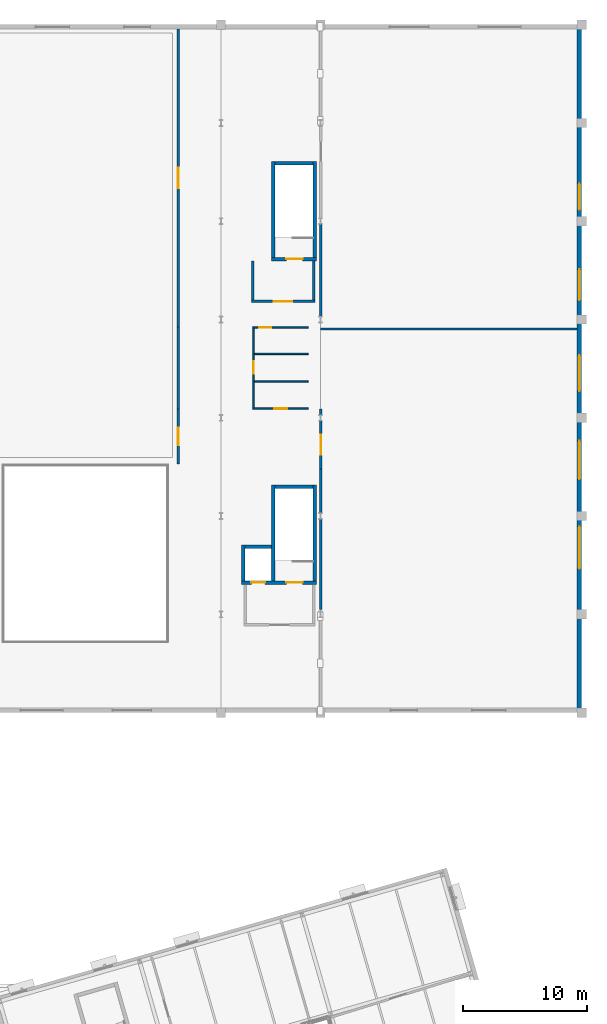
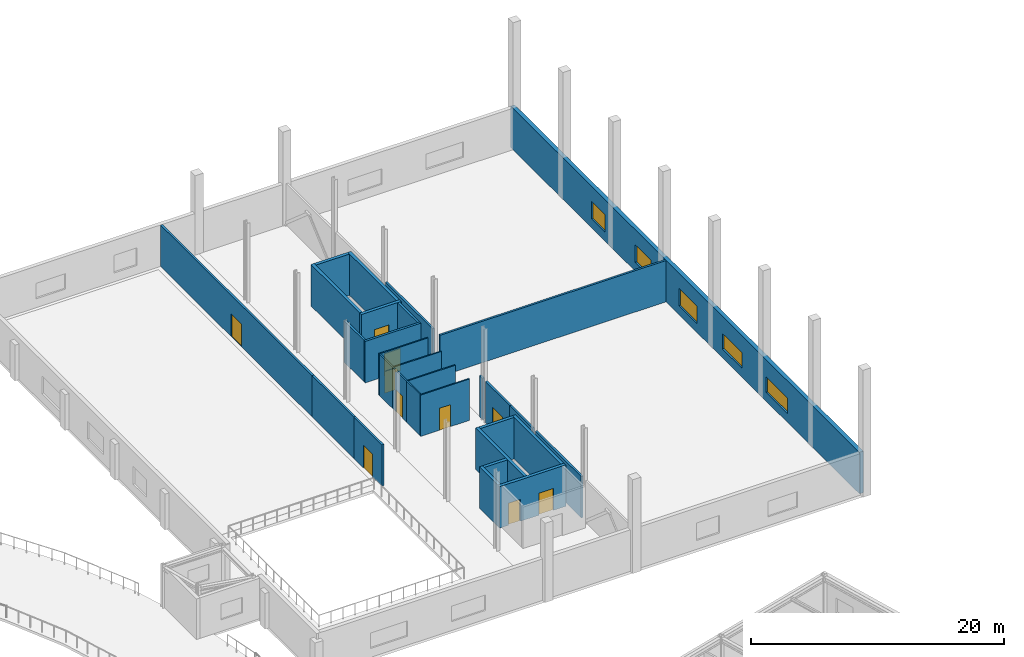
# One storey, part 38 of 59: 30 walls, 10 doors, 5 windows, 15 openings.
"""IFC4 building model written with IfcOpenShell, lengths in metres."""

from ifc_helpers import new_model, si_unit, direction, frame, frame_2d, origin, place, context, subcontext, project, spatial, rectangle, extrude, material, layer, layer_set, type_object, element, fill, save


model = new_model("IFC4")

# Units and contexts
model_context = context("Model", 3, precision=1e-05, world=origin(), true_north=direction((0.0, 1.0)))
body_context = subcontext(model_context, "Body", "Model", "MODEL_VIEW")
ifc_project = project(units=[si_unit("LENGTHUNIT", "METRE"), si_unit("AREAUNIT", "SQUARE_METRE"), si_unit("VOLUMEUNIT", "CUBIC_METRE"), si_unit("PLANEANGLEUNIT", "RADIAN"), si_unit("MASSUNIT", "GRAM", prefix="KILO")], contexts=[model_context])

# Site, building, storey
site_placement = place(None, origin())
site = spatial("IfcSite", under=ifc_project, at=site_placement, CompositionType="ELEMENT")
building_placement = place(site_placement, origin())
building = spatial("IfcBuilding", under=site, at=building_placement, Name="Varnklinge Art Gallery", CompositionType="ELEMENT")
storey_placement = place(building_placement, frame((0.0, 0.0, 9.52001953125)))
storey = spatial("IfcBuildingStorey", under=building, at=storey_placement, Name="L02", CompositionType="ELEMENT", Elevation=9.52001953125)

# Wall, openings, windows
ifc_material_1 = material(Name="Concrete C40/50", Category="concrete")
ifc_layer_1 = layer(ifc_material_1, 0.360107421875)
ifc_layer_set_1 = layer_set([ifc_layer_1], Name="Concrete C40/50")
wall_type_1 = type_object("IfcWallType", Name="EW-36", PredefinedType="SOLIDWALL", material=ifc_layer_set_1)
wall_1_placement = place(storey_placement, frame((164.219970703125, 113.5, 0.0), z_axis=(0.0, 0.0, 1.0), x_axis=(0.0, -1.0, 0.0)))
wall_1 = element("IfcWall", 1, at=wall_1_placement, inside=storey, type_object=wall_type_1, Name="L02 Exterior Wall EW-V1-L02-04", PredefinedType="SOLIDWALL", context=body_context, shape_type="SweptSolid", body=[
    extrude(rectangle(XDim=55.1201171875, YDim=0.360107421875, at=frame_2d((27.56005859375, 0.0))), origin(), (0.0, 0.0, 1.0), 4.0),
])
opening_1_placement = place(wall_1_placement, frame((12.780029296875, 0.0, 0.85009765625)))
opening_1 = element("IfcOpeningElement", 2, at=opening_1_placement, cuts=wall_1, Name="Opening WN-12", PredefinedType="OPENING", context=body_context, shape_type="SweptSolid", body=[
    extrude(rectangle(XDim=2.10009765625, YDim=1.699951171875, at=frame_2d((1.050048828125, 0.85009765625))), frame((0.0, 0.190185546875, 0.0), z_axis=(0.0, -1.0, 0.0), x_axis=(1.0, 0.0, 0.0)), (0.0, 0.0, 1.0), 0.380126953125),
])
opening_2_placement = place(wall_1_placement, frame((19.669921875, 0.0, 0.85009765625)))
opening_2 = element("IfcOpeningElement", 3, at=opening_2_placement, cuts=wall_1, Name="Opening WN-13", PredefinedType="OPENING", context=body_context, shape_type="SweptSolid", body=[
    extrude(rectangle(XDim=2.5, YDim=1.699951171875, at=frame_2d((1.25, 0.85009765625))), frame((0.0, 0.190185546875, 0.0), z_axis=(0.0, -1.0, 0.0), x_axis=(1.0, 0.0, 0.0)), (0.0, 0.0, 1.0), 0.380126953125),
])
opening_3_placement = place(wall_1_placement, frame((26.56005859375, 0.0, 0.85009765625)))
opening_3 = element("IfcOpeningElement", 4, at=opening_3_placement, cuts=wall_1, Name="Opening WN-14", PredefinedType="OPENING", context=body_context, shape_type="SweptSolid", body=[
    extrude(rectangle(XDim=2.89990234375, YDim=1.699951171875, at=frame_2d((1.449951171875, 0.85009765625))), frame((0.0, 0.190185546875, 0.0), z_axis=(0.0, -1.0, 0.0), x_axis=(1.0, 0.0, 0.0)), (0.0, 0.0, 1.0), 0.380126953125),
])
opening_4_placement = place(wall_1_placement, frame((33.449951171875, 0.0, 0.85009765625)))
opening_4 = element("IfcOpeningElement", 5, at=opening_4_placement, cuts=wall_1, Name="Opening WN-19", PredefinedType="OPENING", context=body_context, shape_type="SweptSolid", body=[
    extrude(rectangle(XDim=3.10009765625, YDim=1.5, at=frame_2d((1.550048828125, 0.75))), frame((0.0, 0.190185546875, 0.0), z_axis=(0.0, -1.0, 0.0), x_axis=(1.0, 0.0, 0.0)), (0.0, 0.0, 1.0), 0.380126953125),
])
opening_5_placement = place(wall_1_placement, frame((40.340087890625, 0.0, 0.85009765625)))
opening_5 = element("IfcOpeningElement", 6, at=opening_5_placement, cuts=wall_1, Name="Opening WN-20", PredefinedType="OPENING", context=body_context, shape_type="SweptSolid", body=[
    extrude(rectangle(XDim=3.39990234375, YDim=1.5, at=frame_2d((1.699951171875, 0.75))), frame((0.0, 0.190185546875, 0.0), z_axis=(0.0, -1.0, 0.0), x_axis=(1.0, 0.0, 0.0)), (0.0, 0.0, 1.0), 0.380126953125),
])
ifc_material_2 = material(Name="Insulated Low-E Triple Glazing", Category="glass")
window_type_1 = type_object("IfcWindowType", Name="WN-12", PartitioningType="SINGLE_PANEL", PredefinedType="WINDOW", material=ifc_material_2)
window_1_placement = place(opening_1_placement, origin())
window_1 = element("IfcWindow", 7, at=window_1_placement, inside=storey, type_object=window_type_1, Name="L02 Window WIN-L02-036", OverallHeight=1.699951171875, OverallWidth=2.10009765625, PartitioningType="SINGLE_PANEL", PredefinedType="WINDOW", context=body_context, shape_type="SweptSolid", body=[
    extrude(rectangle(XDim=2.10009765625, YDim=1.699951171875, at=frame_2d((1.050048828125, 0.85009765625))), frame((0.0, 0.030029296875, 0.0), z_axis=(0.0, -1.0, 0.0), x_axis=(1.0, 0.0, 0.0)), (0.0, 0.0, 1.0), 0.06005859375),
])
fill(opening_1, window_1)
ifc_material_3 = material(Name="Insulated Low-E Triple Glazing", Category="glass")
window_type_2 = type_object("IfcWindowType", Name="WN-13", PartitioningType="SINGLE_PANEL", PredefinedType="WINDOW", material=ifc_material_3)
window_2_placement = place(opening_2_placement, origin())
window_2 = element("IfcWindow", 8, at=window_2_placement, inside=storey, type_object=window_type_2, Name="L02 Window WIN-L02-037", OverallHeight=1.699951171875, OverallWidth=2.5, PartitioningType="SINGLE_PANEL", PredefinedType="WINDOW", context=body_context, shape_type="SweptSolid", body=[
    extrude(rectangle(XDim=2.5, YDim=1.699951171875, at=frame_2d((1.25, 0.85009765625))), frame((0.0, 0.030029296875, 0.0), z_axis=(0.0, -1.0, 0.0), x_axis=(1.0, 0.0, 0.0)), (0.0, 0.0, 1.0), 0.06005859375),
])
fill(opening_2, window_2)
ifc_material_4 = material(Name="Insulated Low-E Triple Glazing", Category="glass")
window_type_3 = type_object("IfcWindowType", Name="WN-14", PartitioningType="SINGLE_PANEL", PredefinedType="WINDOW", material=ifc_material_4)
window_3_placement = place(opening_3_placement, origin())
window_3 = element("IfcWindow", 9, at=window_3_placement, inside=storey, type_object=window_type_3, Name="L02 Window WIN-L02-038", OverallHeight=1.699951171875, OverallWidth=2.89990234375, PartitioningType="SINGLE_PANEL", PredefinedType="WINDOW", context=body_context, shape_type="SweptSolid", body=[
    extrude(rectangle(XDim=2.89990234375, YDim=1.699951171875, at=frame_2d((1.449951171875, 0.85009765625))), frame((0.0, 0.030029296875, 0.0), z_axis=(0.0, -1.0, 0.0), x_axis=(1.0, 0.0, 0.0)), (0.0, 0.0, 1.0), 0.06005859375),
])
fill(opening_3, window_3)
ifc_material_5 = material(Name="Insulated Low-E Triple Glazing", Category="glass")
window_type_4 = type_object("IfcWindowType", Name="WN-19", PartitioningType="SINGLE_PANEL", PredefinedType="WINDOW", material=ifc_material_5)
window_4_placement = place(opening_4_placement, origin())
window_4 = element("IfcWindow", 10, at=window_4_placement, inside=storey, type_object=window_type_4, Name="L02 Window WIN-L02-039", OverallHeight=1.5, OverallWidth=3.10009765625, PartitioningType="SINGLE_PANEL", PredefinedType="WINDOW", context=body_context, shape_type="SweptSolid", body=[
    extrude(rectangle(XDim=3.10009765625, YDim=1.5, at=frame_2d((1.550048828125, 0.75))), frame((0.0, 0.030029296875, 0.0), z_axis=(0.0, -1.0, 0.0), x_axis=(1.0, 0.0, 0.0)), (0.0, 0.0, 1.0), 0.06005859375),
])
fill(opening_4, window_4)
ifc_material_6 = material(Name="Insulated Low-E Triple Glazing", Category="glass")
window_type_5 = type_object("IfcWindowType", Name="WN-20", PartitioningType="SINGLE_PANEL", PredefinedType="WINDOW", material=ifc_material_6)
window_5_placement = place(opening_5_placement, origin())
window_5 = element("IfcWindow", 11, at=window_5_placement, inside=storey, type_object=window_type_5, Name="L02 Window WIN-L02-040", OverallHeight=1.5, OverallWidth=3.39990234375, PartitioningType="SINGLE_PANEL", PredefinedType="WINDOW", context=body_context, shape_type="SweptSolid", body=[
    extrude(rectangle(XDim=3.39990234375, YDim=1.5, at=frame_2d((1.699951171875, 0.75))), frame((0.0, 0.030029296875, 0.0), z_axis=(0.0, -1.0, 0.0), x_axis=(1.0, 0.0, 0.0)), (0.0, 0.0, 1.0), 0.06005859375),
])
fill(opening_5, window_5)

# Wall, opening, door
ifc_material_7 = material(Name="Gypsum Board Partition", Category="gypsum")
ifc_layer_2 = layer(ifc_material_7, 0.1201171875)
ifc_layer_set_2 = layer_set([ifc_layer_2], Name="Gypsum Board Partition")
wall_type_2 = type_object("IfcWallType", Name="IW-12", PredefinedType="PARTITIONING", material=ifc_layer_set_2)
wall_2_placement = place(storey_placement, frame((137.969970703125, 82.6298828125, 0.0), z_axis=(0.0, 0.0, 1.0), x_axis=(1.0, 0.0, 0.0)))
wall_2 = element("IfcWall", 12, at=wall_2_placement, inside=storey, type_object=wall_type_2, Name="L02 Partition Wall IW-L02-0266", PredefinedType="PARTITIONING", context=body_context, shape_type="SweptSolid", body=[
    extrude(rectangle(XDim=4.4599609375, YDim=0.1201171875, at=frame_2d((2.22998046875, 0.0))), origin(), (0.0, 0.0, 1.0), 3.989990234375),
])
opening_6_placement = place(wall_2_placement, frame((1.719970703125, 0.0, 0.0)))
opening_6 = element("IfcOpeningElement", 13, at=opening_6_placement, cuts=wall_2, Name="Opening D-L02-220", PredefinedType="OPENING", context=body_context, shape_type="SweptSolid", body=[
    extrude(rectangle(XDim=1.02001953125, YDim=2.1201171875, at=frame_2d((0.510009765625, 1.06005859375))), frame((0.0, 0.070068359375, 0.0), z_axis=(0.0, -1.0, 0.0), x_axis=(1.0, 0.0, 0.0)), (0.0, 0.0, 1.0), 0.14013671875),
])
ifc_material_8 = material(Name="Oak Timber Leaf", Category="wood")
door_type_1 = type_object("IfcDoorType", Name="ID-03", OperationType="SINGLE_SWING_LEFT", PredefinedType="DOOR", material=ifc_material_8)
door_1_placement = place(opening_6_placement, origin())
door_1 = element("IfcDoor", 14, at=door_1_placement, inside=storey, type_object=door_type_1, Name="L02 L02 Accessible WC East Door D-L02-220", OperationType="SINGLE_SWING_RIGHT", OverallHeight=2.1201171875, OverallWidth=1.02001953125, PredefinedType="DOOR", context=body_context, shape_type="SweptSolid", body=[
    extrude(rectangle(XDim=1.02001953125, YDim=2.1201171875, at=frame_2d((0.510009765625, 1.06005859375))), frame((0.0, 0.02490234375, 0.0), z_axis=(0.0, -1.0, 0.0), x_axis=(1.0, 0.0, 0.0)), (0.0, 0.0, 1.0), 0.050048828125),
])
fill(opening_6, door_1)

wall_3_placement = place(storey_placement, frame((142.429931640625, 89.169921875, 0.0), z_axis=(0.0, 0.0, 1.0), x_axis=(-1.0, 0.0, 0.0)))
wall_3 = element("IfcWall", 15, at=wall_3_placement, inside=storey, type_object=wall_type_2, Name="L02 Partition Wall IW-L02-0270", PredefinedType="PARTITIONING", context=body_context, shape_type="SweptSolid", body=[
    extrude(rectangle(XDim=4.4599609375, YDim=0.1201171875, at=frame_2d((2.22998046875, 0.0))), origin(), (0.0, 0.0, 1.0), 3.989990234375),
])
opening_7_placement = place(wall_3_placement, frame((2.998779296875, 0.0, 0.0)))
opening_7 = element("IfcOpeningElement", 16, at=opening_7_placement, cuts=wall_3, Name="Opening D-L02-223", PredefinedType="OPENING", context=body_context, shape_type="SweptSolid", body=[
    extrude(rectangle(XDim=0.9599609375, YDim=2.10009765625, at=frame_2d((0.47998046875, 1.050048828125))), frame((0.0, 0.070068359375, 0.0), z_axis=(0.0, -1.0, 0.0), x_axis=(1.0, 0.0, 0.0)), (0.0, 0.0, 1.0), 0.14013671875),
])
ifc_material_9 = material(Name="Oak Timber Leaf", Category="wood")
door_type_2 = type_object("IfcDoorType", Name="ID-02", OperationType="SINGLE_SWING_RIGHT", PredefinedType="DOOR", material=ifc_material_9)
door_2_placement = place(opening_7_placement, origin())
door_2 = element("IfcDoor", 17, at=door_2_placement, inside=storey, type_object=door_type_2, Name="L02 L02 Public Male Toilet Door D-L02-223", OperationType="SINGLE_SWING_LEFT", OverallHeight=2.10009765625, OverallWidth=0.9599609375, PredefinedType="DOOR", context=body_context, shape_type="SweptSolid", body=[
    extrude(rectangle(XDim=0.9599609375, YDim=2.10009765625, at=frame_2d((0.47998046875, 1.050048828125))), frame((0.0, 0.02490234375, 0.0), z_axis=(0.0, -1.0, 0.0), x_axis=(1.0, 0.0, 0.0)), (0.0, 0.0, 1.0), 0.050048828125),
])
fill(opening_7, door_2)

# Wall
wall_4_placement = place(storey_placement, frame((138.030029296875, 84.830078125, 0.0), z_axis=(0.0, 0.0, 1.0), x_axis=(0.0, -1.0, 0.0)))
element("IfcWall", 18, at=wall_4_placement, inside=storey, type_object=wall_type_2, Name="L02 Partition Wall IW-L02-0275", PredefinedType="PARTITIONING", context=body_context, shape_type="SweptSolid", body=[
    extrude(rectangle(XDim=2.125, YDim=0.1201171875, at=frame_2d((1.0625, 0.0))), origin(), (0.0, 0.0, 1.0), 3.989990234375),
])

# Wall, opening, door
wall_5_placement = place(storey_placement, frame((138.030029296875, 87.030029296875, 0.0), z_axis=(0.0, 0.0, 1.0), x_axis=(0.0, -1.0, 0.0)))
wall_5 = element("IfcWall", 19, at=wall_5_placement, inside=storey, type_object=wall_type_2, Name="L02 Partition Wall IW-L02-0276", PredefinedType="PARTITIONING", context=body_context, shape_type="SweptSolid", body=[
    extrude(rectangle(XDim=2.199951171875, YDim=0.1201171875, at=frame_2d((1.10009765625, 0.0))), origin(), (0.0, 0.0, 1.0), 3.989990234375),
])
opening_8_placement = place(wall_5_placement, frame((0.590087890625, 0.0, 0.0)))
opening_8 = element("IfcOpeningElement", 20, at=opening_8_placement, cuts=wall_5, Name="Opening D-L02-226", PredefinedType="OPENING", context=body_context, shape_type="SweptSolid", body=[
    extrude(rectangle(XDim=1.02001953125, YDim=2.1201171875, at=frame_2d((0.510009765625, 1.06005859375))), frame((0.0, 0.070068359375, 0.0), z_axis=(0.0, -1.0, 0.0), x_axis=(1.0, 0.0, 0.0)), (0.0, 0.0, 1.0), 0.14013671875),
])
door_3_placement = place(opening_8_placement, origin())
door_3 = element("IfcDoor", 21, at=door_3_placement, inside=storey, type_object=door_type_1, Name="L02 L02 Public Female Toilet Door D-L02-226", OperationType="SINGLE_SWING_RIGHT", OverallHeight=2.1201171875, OverallWidth=1.02001953125, PredefinedType="DOOR", context=body_context, shape_type="SweptSolid", body=[
    extrude(rectangle(XDim=1.02001953125, YDim=2.1201171875, at=frame_2d((0.510009765625, 1.06005859375))), frame((0.0, 0.02490234375, 0.0), z_axis=(0.0, -1.0, 0.0), x_axis=(1.0, 0.0, 0.0)), (0.0, 0.0, 1.0), 0.050048828125),
])
fill(opening_8, door_3)

# Walls
wall_6_placement = place(storey_placement, frame((138.030029296875, 89.094970703125, 0.0), z_axis=(0.0, 0.0, 1.0), x_axis=(0.0, -1.0, 0.0)))
element("IfcWall", 22, at=wall_6_placement, inside=storey, type_object=wall_type_2, Name="L02 Partition Wall IW-L02-0277", PredefinedType="PARTITIONING", context=body_context, shape_type="SweptSolid", body=[
    extrude(rectangle(XDim=2.06494140625, YDim=0.1201171875, at=frame_2d((1.032470703125, 0.0))), origin(), (0.0, 0.0, 1.0), 3.989990234375),
])
for number, where, z_axis, x_axis, name in (
    (23, (138.10498046875, 84.830078125, 0.0), (0.0, 0.0, 1.0), (1.0, 0.0, 0.0), "L02 Partition Wall IW-L02-0310"),
    (24, (138.10498046875, 87.030029296875, 0.0), (0.0, 0.0, 1.0), (1.0, 0.0, 0.0), "L02 Partition Wall IW-L02-0311"),
):
    element("IfcWall", number, at=place(storey_placement, frame(where, z_axis=z_axis, x_axis=x_axis)), inside=storey, type_object=wall_type_2, Name=name, PredefinedType="PARTITIONING", context=body_context, shape_type="SweptSolid", body=[
        extrude(rectangle(XDim=4.294921875, YDim=0.1201171875, at=frame_2d((2.1474609375, 0.0))), origin(), (0.0, 0.0, 1.0), 3.989990234375),
    ])
ifc_material_10 = material(Name="Gypsum Board Partition", Category="gypsum")
ifc_layer_3 = layer(ifc_material_10, 0.179931640625)
ifc_layer_set_3 = layer_set([ifc_layer_3], Name="Gypsum Board Partition")
wall_type_3 = type_object("IfcWallType", Name="IW-18", PredefinedType="PARTITIONING", material=ifc_layer_set_3)
wall_7_placement = place(storey_placement, frame((143.429931640625, 73.76220703125, 0.0), z_axis=(0.0, 0.0, 1.0), x_axis=(0.0, -1.0, 0.0)))
element("IfcWall", 25, at=wall_7_placement, inside=storey, type_object=wall_type_3, Name="L02 Partition Wall IW-L02-0263", PredefinedType="PARTITIONING", context=body_context, shape_type="SweptSolid", body=[
    extrude(rectangle(XDim=7.26220703125, YDim=0.179931640625, at=frame_2d((3.631103515625, 0.0))), origin(), (0.0, 0.0, 1.0), 3.989990234375),
])
wall_8_placement = place(storey_placement, frame((143.429931640625, 77.800048828125, 0.0), z_axis=(0.0, 0.0, 1.0), x_axis=(0.0, -1.0, 0.0)))
element("IfcWall", 26, at=wall_8_placement, inside=storey, type_object=wall_type_3, Name="L02 Partition Wall IW-L02-0264", PredefinedType="PARTITIONING", context=body_context, shape_type="SweptSolid", body=[
    extrude(rectangle(XDim=3.562255859375, YDim=0.179931640625, at=frame_2d((1.78125, 0.0))), origin(), (0.0, 0.0, 1.0), 3.989990234375),
])

# Wall, opening, door
wall_9_placement = place(storey_placement, frame((131.969970703125, 78.169921875, 0.0), z_axis=(0.0, 0.0, 1.0), x_axis=(0.0, 1.0, 0.0)))
wall_9 = element("IfcWall", 27, at=wall_9_placement, inside=storey, type_object=wall_type_3, Name="L02 Partition Wall IW-L02-0267", PredefinedType="PARTITIONING", context=body_context, shape_type="SweptSolid", body=[
    extrude(rectangle(XDim=4.43017578125, YDim=0.179931640625, at=frame_2d((2.215087890625, 0.0))), origin(), (0.0, 0.0, 1.0), 3.989990234375),
])
opening_9_placement = place(wall_9_placement, frame((1.5048828125, 0.0, 0.0)))
opening_9 = element("IfcOpeningElement", 28, at=opening_9_placement, cuts=wall_9, Name="Opening D-L02-221", PredefinedType="OPENING", context=body_context, shape_type="SweptSolid", body=[
    extrude(rectangle(XDim=1.419921875, YDim=2.179931640625, at=frame_2d((0.7099609375, 1.08984375))), frame((0.0, 0.099853515625, 0.0), z_axis=(0.0, -1.0, 0.0), x_axis=(1.0, 0.0, 0.0)), (0.0, 0.0, 1.0), 0.199951171875),
])
ifc_material_11 = material(Name="Oak Timber Leaf", Category="wood")
door_type_3 = type_object("IfcDoorType", Name="ID-07", OperationType="DOUBLE_DOOR_SINGLE_SWING", PredefinedType="DOOR", material=ifc_material_11)
door_4_placement = place(opening_9_placement, origin())
door_4 = element("IfcDoor", 29, at=door_4_placement, inside=storey, type_object=door_type_3, Name="L02 L02 Top-Lit Main Shell Exhibition Gallery North Door D-L02-221", OperationType="DOUBLE_DOOR_SINGLE_SWING", OverallHeight=2.179931640625, OverallWidth=1.419921875, PredefinedType="DOOR", context=body_context, shape_type="SweptSolid", body=[
    extrude(rectangle(XDim=1.419921875, YDim=2.179931640625, at=frame_2d((0.7099609375, 1.08984375))), frame((0.0, 0.02490234375, 0.0), z_axis=(0.0, -1.0, 0.0), x_axis=(1.0, 0.0, 0.0)), (0.0, 0.0, 1.0), 0.050048828125),
])
fill(opening_9, door_4)

wall_10_placement = place(storey_placement, frame((143.429931640625, 81.662109375, 0.0), z_axis=(0.0, 0.0, 1.0), x_axis=(0.0, -1.0, 0.0)))
wall_10 = element("IfcWall", 30, at=wall_10_placement, inside=storey, type_object=wall_type_3, Name="L02 Partition Wall IW-L02-0268", PredefinedType="PARTITIONING", context=body_context, shape_type="SweptSolid", body=[
    extrude(rectangle(XDim=3.862060546875, YDim=0.179931640625, at=frame_2d((1.93115234375, 0.0))), origin(), (0.0, 0.0, 1.0), 3.989990234375),
])
opening_10_placement = place(wall_10_placement, frame((1.111083984375, 0.0, 0.0)))
opening_10 = element("IfcOpeningElement", 31, at=opening_10_placement, cuts=wall_10, Name="Opening D-L02-222", PredefinedType="OPENING", context=body_context, shape_type="SweptSolid", body=[
    extrude(rectangle(XDim=1.639892578125, YDim=2.199951171875, at=frame_2d((0.81982421875, 1.10009765625))), frame((0.0, 0.099853515625, 0.0), z_axis=(0.0, -1.0, 0.0), x_axis=(1.0, 0.0, 0.0)), (0.0, 0.0, 1.0), 0.199951171875),
])
ifc_material_12 = material(Name="Oak Timber Leaf", Category="wood")
door_type_4 = type_object("IfcDoorType", Name="ID-08", OperationType="DOUBLE_DOOR_SINGLE_SWING", PredefinedType="DOOR", material=ifc_material_12)
door_5_placement = place(opening_10_placement, origin())
door_5 = element("IfcDoor", 32, at=door_5_placement, inside=storey, type_object=door_type_4, Name="L02 L02 Top-Lit Main Shell Exhibition Gallery South Door D-L02-222", OperationType="DOUBLE_DOOR_SINGLE_SWING", OverallHeight=2.199951171875, OverallWidth=1.639892578125, PredefinedType="DOOR", context=body_context, shape_type="SweptSolid", body=[
    extrude(rectangle(XDim=1.639892578125, YDim=2.199951171875, at=frame_2d((0.81982421875, 1.10009765625))), frame((0.0, 0.02490234375, 0.0), z_axis=(0.0, -1.0, 0.0), x_axis=(1.0, 0.0, 0.0)), (0.0, 0.0, 1.0), 0.050048828125),
])
fill(opening_10, door_5)

# Wall
wall_11_placement = place(storey_placement, frame((143.429931640625, 82.602783203125, 0.0), z_axis=(0.0, 0.0, 1.0), x_axis=(0.0, -1.0, 0.0)))
element("IfcWall", 33, at=wall_11_placement, inside=storey, type_object=wall_type_3, Name="L02 Partition Wall IW-L02-0269", PredefinedType="PARTITIONING", context=body_context, shape_type="SweptSolid", body=[
    extrude(rectangle(XDim=0.46484375, YDim=0.179931640625, at=frame_2d((0.232421875, 0.0))), origin(), (0.0, 0.0, 1.0), 3.989990234375),
])

# Wall, opening, door
wall_12_placement = place(storey_placement, frame((131.969970703125, 89.199951171875, 0.0), z_axis=(0.0, 0.0, 1.0), x_axis=(0.0, 1.0, 0.0)))
wall_12 = element("IfcWall", 34, at=wall_12_placement, inside=storey, type_object=wall_type_3, Name="L02 Partition Wall IW-L02-0271", PredefinedType="PARTITIONING", context=body_context, shape_type="SweptSolid", body=[
    extrude(rectangle(XDim=23.93603515625, YDim=0.179931640625, at=frame_2d((11.968017578125, 0.0))), origin(), (0.0, 0.0, 1.0), 3.989990234375),
])
opening_11_placement = place(wall_12_placement, frame((11.14794921875, 0.0, 0.0)))
opening_11 = element("IfcOpeningElement", 35, at=opening_11_placement, cuts=wall_12, Name="Opening D-L02-224", PredefinedType="OPENING", context=body_context, shape_type="SweptSolid", body=[
    extrude(rectangle(XDim=1.639892578125, YDim=2.199951171875, at=frame_2d((0.81982421875, 1.10009765625))), frame((0.0, 0.099853515625, 0.0), z_axis=(0.0, -1.0, 0.0), x_axis=(1.0, 0.0, 0.0)), (0.0, 0.0, 1.0), 0.199951171875),
])
door_6_placement = place(opening_11_placement, origin())
door_6 = element("IfcDoor", 36, at=door_6_placement, inside=storey, type_object=door_type_4, Name="L02 L02 Top-Lit Main Shell Exhibition Gallery North Door D-L02-224", OperationType="DOUBLE_DOOR_SINGLE_SWING", OverallHeight=2.199951171875, OverallWidth=1.639892578125, PredefinedType="DOOR", context=body_context, shape_type="SweptSolid", body=[
    extrude(rectangle(XDim=1.639892578125, YDim=2.199951171875, at=frame_2d((0.81982421875, 1.10009765625))), frame((0.0, 0.02490234375, 0.0), z_axis=(0.0, -1.0, 0.0), x_axis=(1.0, 0.0, 0.0)), (0.0, 0.0, 1.0), 0.050048828125),
])
fill(opening_11, door_6)

# Walls
wall_13_placement = place(storey_placement, frame((143.429931640625, 97.462158203125, 0.0), z_axis=(0.0, 0.0, 1.0), x_axis=(0.0, -1.0, 0.0)))
element("IfcWall", 37, at=wall_13_placement, inside=storey, type_object=wall_type_3, Name="L02 Partition Wall IW-L02-0272", PredefinedType="PARTITIONING", context=body_context, shape_type="SweptSolid", body=[
    extrude(rectangle(XDim=7.42431640625, YDim=0.179931640625, at=frame_2d((3.712158203125, 0.0))), origin(), (0.0, 0.0, 1.0), 3.989990234375),
])
wall_14_placement = place(storey_placement, frame((131.969970703125, 82.60009765625, 0.0), z_axis=(0.0, 0.0, 1.0), x_axis=(0.0, 1.0, 0.0)))
element("IfcWall", 38, at=wall_14_placement, inside=storey, type_object=wall_type_3, Name="L02 Partition Wall IW-L02-0278", PredefinedType="PARTITIONING", context=body_context, shape_type="SweptSolid", body=[
    extrude(rectangle(XDim=6.599853515625, YDim=0.179931640625, at=frame_2d((3.2998046875, 0.0))), origin(), (0.0, 0.0, 1.0), 3.989990234375),
])
wall_15_placement = place(storey_placement, frame((143.39990234375, 89.030029296875, 0.0), z_axis=(0.0, 0.0, 1.0), x_axis=(1.0, 0.0, 0.0)))
element("IfcWall", 39, at=wall_15_placement, inside=storey, type_object=wall_type_3, Name="L02 Partition Wall IW-L02-0312", PredefinedType="PARTITIONING", context=body_context, shape_type="SweptSolid", body=[
    extrude(rectangle(XDim=20.635986328125, YDim=0.179931640625, at=frame_2d((10.31787109375, 0.0))), origin(), (0.0, 0.0, 1.0), 3.989990234375),
])
ifc_material_13 = material(Name="Concrete C40/50", Category="concrete")
ifc_layer_4 = layer(ifc_material_13, 0.199951171875)
ifc_layer_set_4 = layer_set([ifc_layer_4], Name="Concrete C40/50")
wall_type_4 = type_object("IfcWallType", Name="IW-20", PredefinedType="PARTITIONING", material=ifc_layer_set_4)
for number, where, z_axis, x_axis, name in (
    (40, (142.85009765625, 91.35009765625, 0.0), (0.0, 0.0, 1.0), (0.0, 1.0, 0.0), "L02 Core C7 Lobby South Wall"),
    (41, (137.949951171875, 94.5, 0.0), (0.0, 0.0, 1.0), (0.0, -1.0, 0.0), "L02 Core C7 Lobby North Wall"),
):
    element("IfcWall", number, at=place(storey_placement, frame(where, z_axis=z_axis, x_axis=x_axis)), inside=storey, type_object=wall_type_4, Name=name, PredefinedType="PARTITIONING", context=body_context, shape_type="SweptSolid", body=[
        extrude(rectangle(XDim=3.14990234375, YDim=0.199951171875, at=frame_2d((1.574951171875, 0.0))), origin(), (0.0, 0.0, 1.0), 4.0),
    ])

# Wall, opening, door
wall_16_placement = place(storey_placement, frame((142.949951171875, 91.25, 0.0), z_axis=(0.0, 0.0, 1.0), x_axis=(-1.0, 0.0, 0.0)))
wall_16 = element("IfcWall", 42, at=wall_16_placement, inside=storey, type_object=wall_type_4, Name="L02 Core C7 Lobby Corridor Wall", PredefinedType="PARTITIONING", context=body_context, shape_type="SweptSolid", body=[
    extrude(rectangle(XDim=5.099853515625, YDim=0.199951171875, at=frame_2d((2.5498046875, 0.0))), origin(), (0.0, 0.0, 1.0), 4.0),
])
opening_12_placement = place(wall_16_placement, frame((1.81005859375, 0.0, 0.0)))
opening_12 = element("IfcOpeningElement", 43, at=opening_12_placement, cuts=wall_16, Name="Opening D-L02-107", PredefinedType="OPENING", context=body_context, shape_type="SweptSolid", body=[
    extrude(rectangle(XDim=1.47998046875, YDim=2.14990234375, at=frame_2d((0.739990234375, 1.074951171875))), frame((0.0, 0.110107421875, 0.0), z_axis=(0.0, -1.0, 0.0), x_axis=(1.0, 0.0, 0.0)), (0.0, 0.0, 1.0), 0.219970703125),
])
ifc_material_14 = material(Name="Galvanised Fire-Rated Steel", Category="steel")
door_type_5 = type_object("IfcDoorType", Name="ID-LB1", OperationType="DOUBLE_DOOR_SINGLE_SWING", PredefinedType="DOOR", material=ifc_material_14)
door_7_placement = place(opening_12_placement, origin())
door_7 = element("IfcDoor", 44, at=door_7_placement, inside=storey, type_object=door_type_5, Name="L02 Core C7 Protected Lobby Door D-L02-107", OperationType="DOUBLE_DOOR_SINGLE_SWING", OverallHeight=2.14990234375, OverallWidth=1.47998046875, PredefinedType="DOOR", context=body_context, shape_type="SweptSolid", body=[
    extrude(rectangle(XDim=1.47998046875, YDim=2.14990234375, at=frame_2d((0.739990234375, 1.074951171875))), frame((0.0, 0.02490234375, 0.0), z_axis=(0.0, -1.0, 0.0), x_axis=(1.0, 0.0, 0.0)), (0.0, 0.0, 1.0), 0.050048828125),
])
fill(opening_12, door_7)

# Walls
ifc_material_15 = material(Name="Concrete C40/50", Category="concrete")
ifc_layer_5 = layer(ifc_material_15, 0.280029296875)
ifc_layer_set_5 = layer_set([ifc_layer_5], Name="Concrete C40/50")
wall_type_5 = type_object("IfcWallType", Name="SW-28", PredefinedType="SHEAR", material=ifc_layer_set_5)
wall_17_placement = place(storey_placement, frame((142.949951171875, 68.7900390625, 0.0), z_axis=(0.0, 0.0, 1.0), x_axis=(0.0, 1.0, 0.0)))
element("IfcWall", 45, at=wall_17_placement, inside=storey, type_object=wall_type_5, Name="L02 Core C3 South Shear Wall", PredefinedType="SHEAR", context=body_context, shape_type="SweptSolid", body=[
    extrude(rectangle(XDim=7.699951171875, YDim=0.280029296875, at=frame_2d((3.85009765625, 0.0))), origin(), (0.0, 0.0, 1.0), 4.0),
])
wall_18_placement = place(storey_placement, frame((142.81005859375, 76.35009765625, 0.0), z_axis=(0.0, 0.0, 1.0), x_axis=(-1.0, 0.0, 0.0)))
element("IfcWall", 46, at=wall_18_placement, inside=storey, type_object=wall_type_5, Name="L02 Core C3 East Shear Wall", PredefinedType="SHEAR", context=body_context, shape_type="SweptSolid", body=[
    extrude(rectangle(XDim=3.080078125, YDim=0.280029296875, at=frame_2d((1.5400390625, 0.0))), origin(), (0.0, 0.0, 1.0), 4.0),
])
wall_19_placement = place(storey_placement, frame((139.590087890625, 76.489990234375, 0.0), z_axis=(0.0, 0.0, 1.0), x_axis=(0.0, -1.0, 0.0)))
element("IfcWall", 47, at=wall_19_placement, inside=storey, type_object=wall_type_5, Name="L02 Core C3 Dividing Shear Wall", PredefinedType="SHEAR", context=body_context, shape_type="SweptSolid", body=[
    extrude(rectangle(XDim=7.699951171875, YDim=0.280029296875, at=frame_2d((3.85009765625, 0.0))), origin(), (0.0, 0.0, 1.0), 4.0),
])
wall_20_placement = place(storey_placement, frame((139.449951171875, 71.550048828125, 0.0), z_axis=(0.0, 0.0, 1.0), x_axis=(-1.0, 0.0, 0.0)))
element("IfcWall", 48, at=wall_20_placement, inside=storey, type_object=wall_type_5, Name="L02 Core C3 Lift East Shear Wall", PredefinedType="SHEAR", context=body_context, shape_type="SweptSolid", body=[
    extrude(rectangle(XDim=2.119873046875, YDim=0.280029296875, at=frame_2d((1.06005859375, 0.0))), origin(), (0.0, 0.0, 1.0), 4.0),
])
wall_21_placement = place(storey_placement, frame((137.18994140625, 71.68994140625, 0.0), z_axis=(0.0, 0.0, 1.0), x_axis=(0.0, -1.0, 0.0)))
element("IfcWall", 49, at=wall_21_placement, inside=storey, type_object=wall_type_5, Name="L02 Core C3 Lift North Shear Wall", PredefinedType="SHEAR", context=body_context, shape_type="SweptSolid", body=[
    extrude(rectangle(XDim=2.89990234375, YDim=0.280029296875, at=frame_2d((1.449951171875, 0.0))), origin(), (0.0, 0.0, 1.0), 4.0),
])

# Wall, openings, doors
wall_22_placement = place(storey_placement, frame((137.050048828125, 68.64990234375, 0.0), z_axis=(0.0, 0.0, 1.0), x_axis=(1.0, 0.0, 0.0)))
wall_22 = element("IfcWall", 50, at=wall_22_placement, inside=storey, type_object=wall_type_5, Name="L02 Core C3 Front Shear Wall", PredefinedType="SHEAR", context=body_context, shape_type="SweptSolid", body=[
    extrude(rectangle(XDim=6.0400390625, YDim=0.280029296875, at=frame_2d((3.02001953125, 0.0))), origin(), (0.0, 0.0, 1.0), 4.0),
])
opening_13_placement = place(wall_22_placement, frame((0.800048828125, 0.0, 0.0)))
opening_13 = element("IfcOpeningElement", 51, at=opening_13_placement, cuts=wall_22, Name="Opening LD-L02-058", PredefinedType="OPENING", context=body_context, shape_type="SweptSolid", body=[
    extrude(rectangle(XDim=1.10009765625, YDim=2.1201171875, at=frame_2d((0.550048828125, 1.06005859375))), frame((0.0, 0.150146484375, 0.0), z_axis=(0.0, -1.0, 0.0), x_axis=(1.0, 0.0, 0.0)), (0.0, 0.0, 1.0), 0.300048828125),
])
opening_14_placement = place(wall_22_placement, frame((3.60009765625, 0.0, 0.0)))
opening_14 = element("IfcOpeningElement", 52, at=opening_14_placement, cuts=wall_22, Name="Opening D-L02-059", PredefinedType="OPENING", context=body_context, shape_type="SweptSolid", body=[
    extrude(rectangle(XDim=1.320068359375, YDim=2.1201171875, at=frame_2d((0.66015625, 1.06005859375))), frame((0.0, 0.150146484375, 0.0), z_axis=(0.0, -1.0, 0.0), x_axis=(1.0, 0.0, 0.0)), (0.0, 0.0, 1.0), 0.300048828125),
])
ifc_material_16 = material(Name="Galvanised Fire-Rated Steel", Category="steel")
door_type_6 = type_object("IfcDoorType", Name="ID-ST1", OperationType="SINGLE_SWING_LEFT", PredefinedType="DOOR", material=ifc_material_16)
door_8_placement = place(opening_14_placement, origin())
door_8 = element("IfcDoor", 53, at=door_8_placement, inside=storey, type_object=door_type_6, Name="L02 Stair ST-03 Fire Door D-L02-059", OperationType="SINGLE_SWING_RIGHT", OverallHeight=2.1201171875, OverallWidth=1.320068359375, PredefinedType="DOOR", context=body_context, shape_type="SweptSolid", body=[
    extrude(rectangle(XDim=1.320068359375, YDim=2.1201171875, at=frame_2d((0.66015625, 1.06005859375))), frame((0.0, 0.02490234375, 0.0), z_axis=(0.0, -1.0, 0.0), x_axis=(1.0, 0.0, 0.0)), (0.0, 0.0, 1.0), 0.050048828125),
])
fill(opening_14, door_8)
ifc_material_17 = material(Name="Anodised Aluminium", Category="aluminium")
door_type_7 = type_object("IfcDoorType", Name="LD-PAX", OperationType="SLIDING_TO_LEFT", PredefinedType="DOOR", material=ifc_material_17)
door_9_placement = place(opening_13_placement, origin())
door_9 = element("IfcDoor", 54, at=door_9_placement, inside=storey, type_object=door_type_7, Name="L02 LF-03 Sliding Landing Door LD-L02-058", OperationType="SLIDING_TO_LEFT", OverallHeight=2.1201171875, OverallWidth=1.10009765625, PredefinedType="DOOR", context=body_context, shape_type="SweptSolid", body=[
    extrude(rectangle(XDim=1.10009765625, YDim=2.1201171875, at=frame_2d((0.550048828125, 1.06005859375))), frame((0.0, 0.02490234375, 0.0), z_axis=(0.0, -1.0, 0.0), x_axis=(1.0, 0.0, 0.0)), (0.0, 0.0, 1.0), 0.050048828125),
])
fill(opening_13, door_9)

# Walls
wall_23_placement = place(storey_placement, frame((142.949951171875, 94.7900390625, 0.0), z_axis=(0.0, 0.0, 1.0), x_axis=(0.0, 1.0, 0.0)))
element("IfcWall", 55, at=wall_23_placement, inside=storey, type_object=wall_type_5, Name="L02 Core C7 South Shear Wall", PredefinedType="SHEAR", context=body_context, shape_type="SweptSolid", body=[
    extrude(rectangle(XDim=7.699951171875, YDim=0.280029296875, at=frame_2d((3.85009765625, 0.0))), origin(), (0.0, 0.0, 1.0), 4.0),
])
wall_24_placement = place(storey_placement, frame((142.81005859375, 102.35009765625, 0.0), z_axis=(0.0, 0.0, 1.0), x_axis=(-1.0, 0.0, 0.0)))
element("IfcWall", 56, at=wall_24_placement, inside=storey, type_object=wall_type_5, Name="L02 Core C7 East Shear Wall", PredefinedType="SHEAR", context=body_context, shape_type="SweptSolid", body=[
    extrude(rectangle(XDim=3.080078125, YDim=0.280029296875, at=frame_2d((1.5400390625, 0.0))), origin(), (0.0, 0.0, 1.0), 4.0),
])
wall_25_placement = place(storey_placement, frame((139.590087890625, 102.489990234375, 0.0), z_axis=(0.0, 0.0, 1.0), x_axis=(0.0, -1.0, 0.0)))
element("IfcWall", 57, at=wall_25_placement, inside=storey, type_object=wall_type_5, Name="L02 Core C7 Dividing Shear Wall", PredefinedType="SHEAR", context=body_context, shape_type="SweptSolid", body=[
    extrude(rectangle(XDim=7.699951171875, YDim=0.280029296875, at=frame_2d((3.85009765625, 0.0))), origin(), (0.0, 0.0, 1.0), 4.0),
])

# Wall, opening, door
wall_26_placement = place(storey_placement, frame((139.449951171875, 94.64990234375, 0.0), z_axis=(0.0, 0.0, 1.0), x_axis=(1.0, 0.0, 0.0)))
wall_26 = element("IfcWall", 58, at=wall_26_placement, inside=storey, type_object=wall_type_5, Name="L02 Core C7 Front Shear Wall", PredefinedType="SHEAR", context=body_context, shape_type="SweptSolid", body=[
    extrude(rectangle(XDim=3.64013671875, YDim=0.280029296875, at=frame_2d((1.820068359375, 0.0))), origin(), (0.0, 0.0, 1.0), 4.0),
])
opening_15_placement = place(wall_26_placement, frame((1.199951171875, 0.0, 0.0)))
opening_15 = element("IfcOpeningElement", 59, at=opening_15_placement, cuts=wall_26, Name="Opening D-L02-106", PredefinedType="OPENING", context=body_context, shape_type="SweptSolid", body=[
    extrude(rectangle(XDim=1.320068359375, YDim=2.1201171875, at=frame_2d((0.66015625, 1.06005859375))), frame((0.0, 0.150146484375, 0.0), z_axis=(0.0, -1.0, 0.0), x_axis=(1.0, 0.0, 0.0)), (0.0, 0.0, 1.0), 0.300048828125),
])
door_10_placement = place(opening_15_placement, origin())
door_10 = element("IfcDoor", 60, at=door_10_placement, inside=storey, type_object=door_type_6, Name="L02 Stair ST-07 Fire Door D-L02-106", OperationType="SINGLE_SWING_RIGHT", OverallHeight=2.1201171875, OverallWidth=1.320068359375, PredefinedType="DOOR", context=body_context, shape_type="SweptSolid", body=[
    extrude(rectangle(XDim=1.320068359375, YDim=2.1201171875, at=frame_2d((0.66015625, 1.06005859375))), frame((0.0, 0.02490234375, 0.0), z_axis=(0.0, -1.0, 0.0), x_axis=(1.0, 0.0, 0.0)), (0.0, 0.0, 1.0), 0.050048828125),
])
fill(opening_15, door_10)

save(model, "model.ifc")
